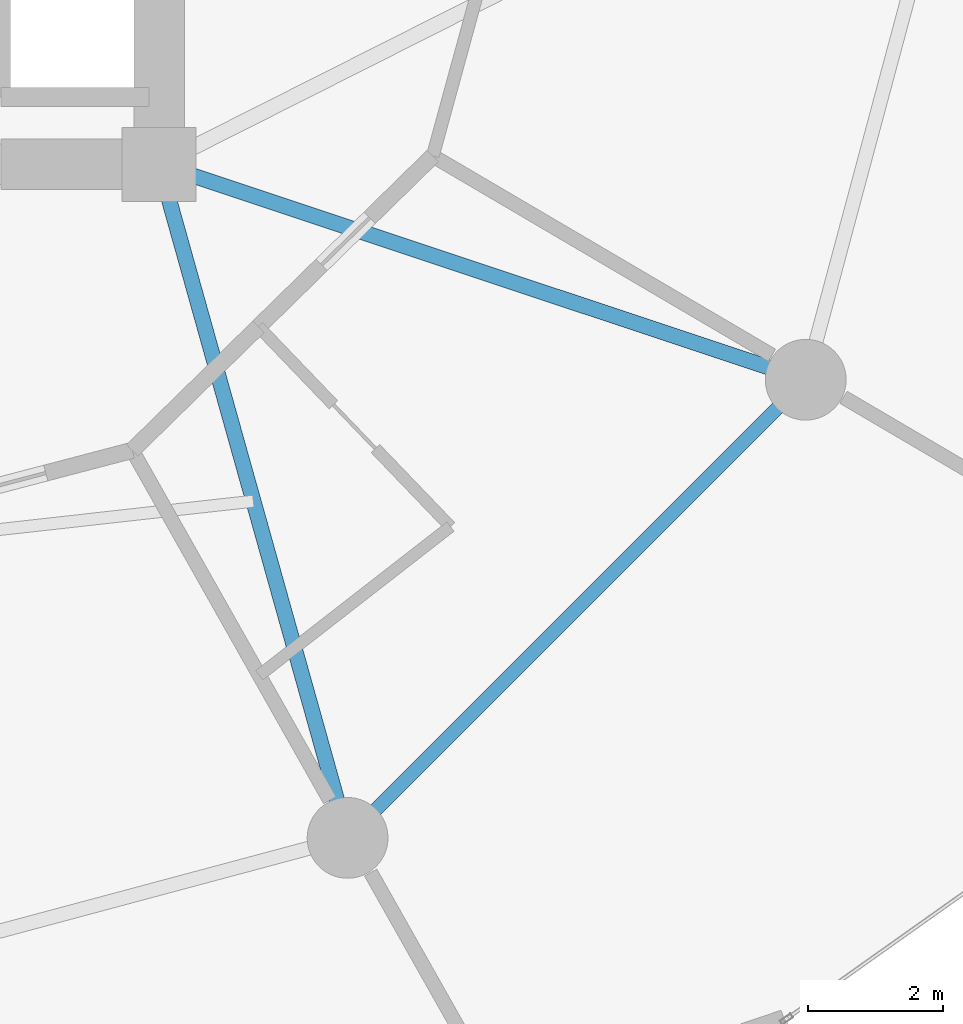
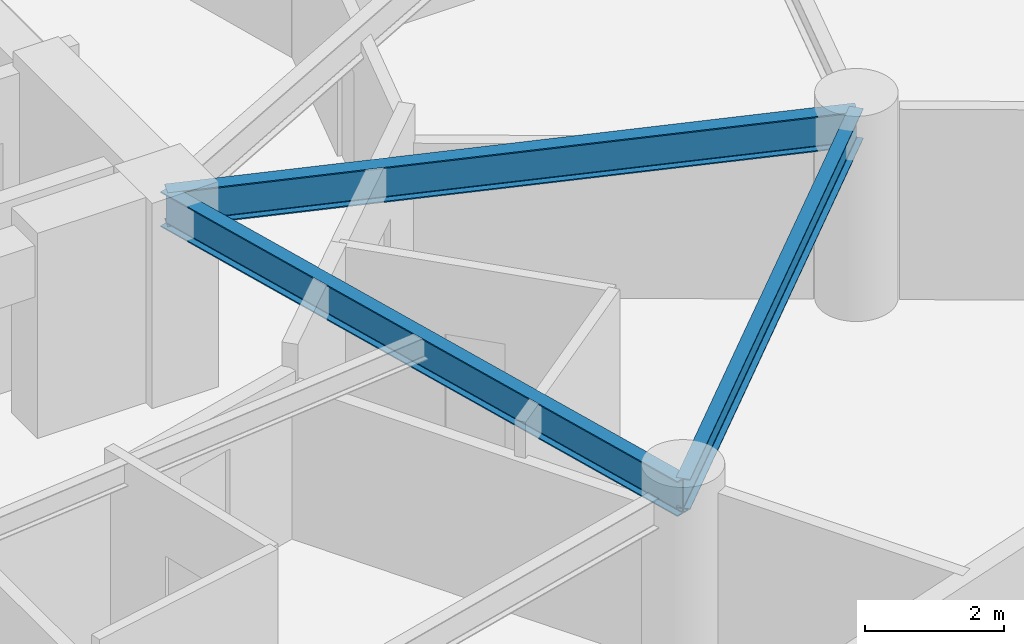
# One storey, part 9 of 26: 3 beams.
"""IFC4 building model written with IfcOpenShell, lengths in metres."""

from ifc_helpers import new_model, si_unit, direction, frame, origin, origin_2d, place, context, subcontext, project, spatial, i_section, extrude, material, material_profile, profile_set, type_object, element, save


model = new_model("IFC4")

# Units and contexts
model_context = context("Model", 3, precision=1e-05, world=origin(), true_north=direction((0.0, 1.0)))
body_context = subcontext(model_context, "Body", "Model", "MODEL_VIEW")
ifc_project = project(units=[si_unit("LENGTHUNIT", "METRE"), si_unit("AREAUNIT", "SQUARE_METRE"), si_unit("VOLUMEUNIT", "CUBIC_METRE"), si_unit("PLANEANGLEUNIT", "RADIAN"), si_unit("MASSUNIT", "GRAM", prefix="KILO")], contexts=[model_context])

# Site, building, storey
site_placement = place(None, origin())
site = spatial("IfcSite", under=ifc_project, at=site_placement, CompositionType="ELEMENT")
building_placement = place(site_placement, origin())
building = spatial("IfcBuilding", under=site, at=building_placement, Name="Solvirekh Grand Hotel", CompositionType="ELEMENT")
storey_placement = place(building_placement, frame((0.0, 0.0, 35.60009765625)))
storey = spatial("IfcBuildingStorey", under=building, at=storey_placement, Name="L07", CompositionType="ELEMENT", Elevation=35.60009765625)

# Beams
ifc_material = material(Name="Steel S355", Category="steel")
ifc_material_profile_1 = material_profile(ifc_material, i_section(OverallWidth=0.22802734375, OverallDepth=0.616943359375, WebThickness=0.012939453125, FlangeThickness=0.02001953125, FilletRadius=0.014892578125, at=origin_2d()), Name="W610X140")
ifc_profile_set_1 = profile_set([ifc_material_profile_1], Name="Steel S355")
beam_type_1 = type_object("IfcBeamType", Name="Beam_Radial_W610", PredefinedType="BEAM", material=ifc_profile_set_1)
beam_1_placement = place(storey_placement, frame((6.5, -6.10009765625, 3.031005859375), z_axis=(0.269439084681, -0.963017434757, 0.0), x_axis=(0.963017434757, 0.269439084681, 0.0)))
element("IfcBeam", 1, at=beam_1_placement, inside=storey, type_object=beam_type_1, Name="L07 radial floor beam R11", PredefinedType="BEAM", context=body_context, shape_type="SweptSolid", body=[
    extrude(i_section(OverallWidth=0.22802734375, OverallDepth=0.616943359375, WebThickness=0.012939453125, FlangeThickness=0.02001953125, FilletRadius=0.014892578125, at=origin_2d()), origin(), (0.0, 0.0, 1.0), 10.39208984375),
])
beam_2_placement = place(storey_placement, frame((6.5, -6.10009765625, 3.031005859375), z_axis=(0.948762825819, -0.315989082635, 0.0), x_axis=(0.315989082635, 0.948762825819, 0.0)))
element("IfcBeam", 2, at=beam_2_placement, inside=storey, type_object=beam_type_1, Name="L07 radial floor beam R12", PredefinedType="BEAM", context=body_context, shape_type="SweptSolid", body=[
    extrude(i_section(OverallWidth=0.22802734375, OverallDepth=0.616943359375, WebThickness=0.012939453125, FlangeThickness=0.02001953125, FilletRadius=0.014892578125, at=origin_2d()), origin(), (0.0, 0.0, 1.0), 10.126708984375),
])
ifc_material_profile_2 = material_profile(ifc_material, i_section(OverallWidth=0.208984375, OverallDepth=0.532958984375, WebThickness=0.010009765625, FlangeThickness=0.014892578125, FilletRadius=0.013916015625, at=origin_2d()), Name="W530X92")
ifc_profile_set_2 = profile_set([ifc_material_profile_2], Name="Steel S355")
beam_type_2 = type_object("IfcBeamType", Name="Spandrel_Ring_W530", PredefinedType="SPANDREL", material=ifc_profile_set_2)
beam_3_placement = place(storey_placement, frame((9.300048828125, -16.10791015625, 3.072998046875), z_axis=(0.707106781187, 0.707106781187, 0.0), x_axis=(-0.707106781187, 0.707106781187, 0.0)))
element("IfcBeam", 3, at=beam_3_placement, inside=storey, type_object=beam_type_2, Name="L07 perimeter spandrel beam 11", PredefinedType="SPANDREL", context=body_context, shape_type="SweptSolid", body=[
    extrude(i_section(OverallWidth=0.208984375, OverallDepth=0.532958984375, WebThickness=0.010009765625, FlangeThickness=0.014892578125, FilletRadius=0.013916015625, at=origin_2d()), origin(), (0.0, 0.0, 1.0), 9.627685546875),
])

save(model, "model.ifc")
